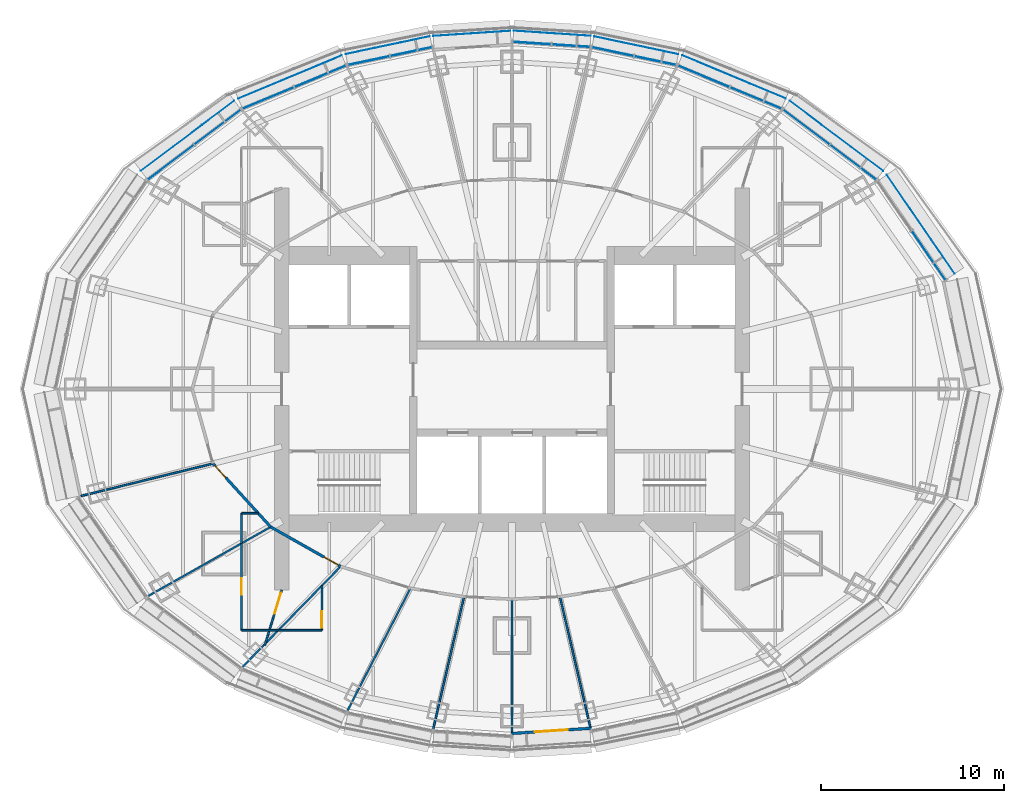
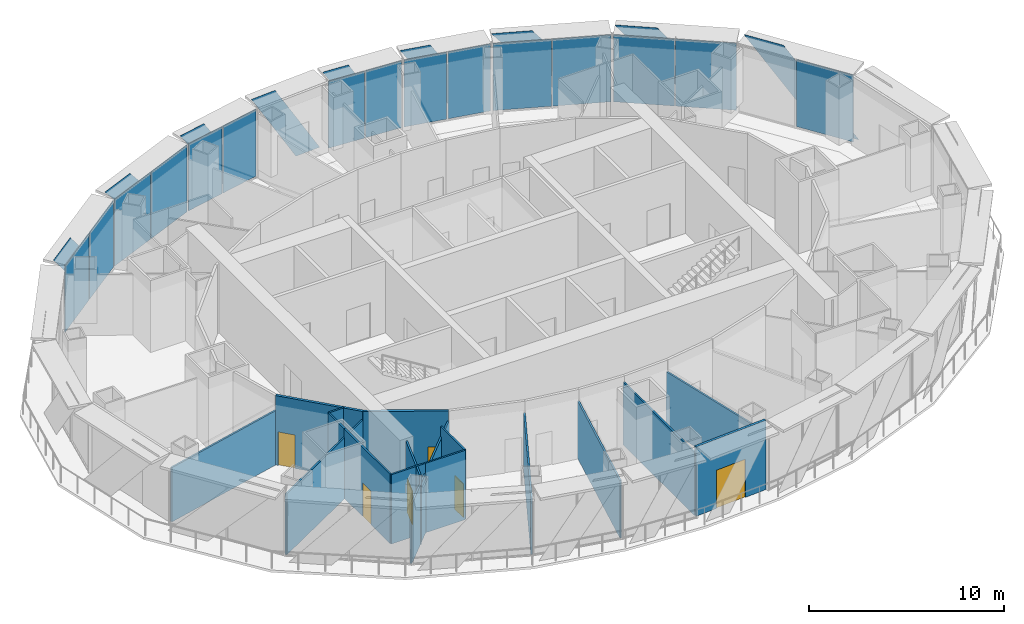
# One storey, part 9 of 17: 24 plates, 17 walls, 6 doors, 6 openings, 8 elements without a shape of their own.
"""IFC4 building model written with IfcOpenShell, lengths in metres."""

from ifc_helpers import new_model, si_unit, direction, frame, frame_2d, origin, origin_2d, place, context, subcontext, project, spatial, polyline, rectangle, outline, extrude, material, layer, layer_set, type_object, element, fill, aggregate, save


model = new_model("IFC4")

# Units and contexts
model_context = context("Model", 3, precision=1e-05, world=origin(), true_north=direction((0.0, 1.0)))
body_context = subcontext(model_context, "Body", "Model", "MODEL_VIEW")
ifc_project = project(units=[si_unit("LENGTHUNIT", "METRE"), si_unit("AREAUNIT", "SQUARE_METRE"), si_unit("VOLUMEUNIT", "CUBIC_METRE"), si_unit("PLANEANGLEUNIT", "RADIAN"), si_unit("MASSUNIT", "GRAM", prefix="KILO")], contexts=[model_context])

# Site, building, storey
site_placement = place(None, origin())
site = spatial("IfcSite", under=ifc_project, at=site_placement, CompositionType="ELEMENT")
building_placement = place(site_placement, origin())
building = spatial("IfcBuilding", under=site, at=building_placement, Name="Lantaw Convention Tower", CompositionType="ELEMENT")
storey_placement = place(building_placement, frame((0.0, 0.0, 270.39990234375)))
storey = spatial("IfcBuildingStorey", under=building, at=storey_placement, Name="L63", CompositionType="ELEMENT", Elevation=270.39990234375)

# Curtain wall, plate
ifc_material_1 = material(Name="Aluminium framed curtain wall", Category="aluminium")
curtain_wall_type = type_object("IfcCurtainWallType", Name="Executive floors curtain wall, pale aluminium", PredefinedType="USERDEFINED", material=ifc_material_1)
curtain_wall_1_placement = place(storey_placement, origin())
curtain_wall_1 = element("IfcCurtainWall", 1, at=curtain_wall_1_placement, inside=storey, type_object=curtain_wall_type, Name="Executive floors curtain wall, pale aluminium L63", ObjectType="UNITISED CURTAIN WALL", PredefinedType="USERDEFINED")
ifc_material_2 = material(Name="Clear insulating glass", Category="glass")
ifc_layer_1 = layer(ifc_material_2, 0.030029296875)
ifc_layer_set_1 = layer_set([ifc_layer_1], Name="CW-T panel 30")
plate_type_1 = type_object("IfcPlateType", Name="CW-T panel 30", PredefinedType="CURTAIN_PANEL", material=ifc_layer_set_1)
plate_1_placement = place(storey_placement, frame((22.80126953125, 7.31103515625, 0.070068359375), z_axis=(0.0, 0.0, 1.0), x_axis=(-0.565934832921, 0.824449977189, 0.0)))
plate_1 = element("IfcPlate", 2, at=plate_1_placement, type_object=plate_type_1, Name="CW-T panel 1.1", PredefinedType="CURTAIN_PANEL", context=body_context, shape_type="SweptSolid", body=[
    extrude(rectangle(XDim=3.22802734375, YDim=0.030029296875, at=origin_2d()), origin(), (0.0, 0.0, 1.0), 4.2099609375),
])
aggregate(curtain_wall_1, [plate_1])

# Curtain wall, plates
curtain_wall_2_placement = place(storey_placement, origin())
curtain_wall_2 = element("IfcCurtainWall", 3, at=curtain_wall_2_placement, inside=storey, type_object=curtain_wall_type, Name="Executive floors curtain wall, pale aluminium L63", ObjectType="UNITISED CURTAIN WALL", PredefinedType="USERDEFINED")
plate_2_placement = place(storey_placement, frame((18.67041015625, 12.403564453125, 0.070068359375), z_axis=(0.0, 0.0, 1.0), x_axis=(-0.799517528732, 0.600642756762, 0.0)))
plate_2 = element("IfcPlate", 4, at=plate_2_placement, type_object=plate_type_1, Name="CW-T panel 1.1", PredefinedType="CURTAIN_PANEL", context=body_context, shape_type="SweptSolid", body=[
    extrude(rectangle(XDim=3.140869140625, YDim=0.030029296875, at=origin_2d()), origin(), (0.0, 0.0, 1.0), 4.2099609375),
])
plate_3_placement = place(storey_placement, frame((16.103271484375, 14.33203125, 0.070068359375), z_axis=(0.0, 0.0, 1.0), x_axis=(-0.799517528732, 0.600642756762, 0.0)))
plate_3 = element("IfcPlate", 5, at=plate_3_placement, type_object=plate_type_1, Name="CW-T panel 2.1", PredefinedType="CURTAIN_PANEL", context=body_context, shape_type="SweptSolid", body=[
    extrude(rectangle(XDim=3.140869140625, YDim=0.030029296875, at=origin_2d()), origin(), (0.0, 0.0, 1.0), 4.2099609375),
])
aggregate(curtain_wall_2, [plate_2, plate_3])

curtain_wall_3_placement = place(storey_placement, origin())
curtain_wall_3 = element("IfcCurtainWall", 6, at=curtain_wall_3_placement, inside=storey, type_object=curtain_wall_type, Name="Executive floors curtain wall, pale aluminium L63", ObjectType="UNITISED CURTAIN WALL", PredefinedType="USERDEFINED")
plate_4_placement = place(storey_placement, frame((13.334716796875, 15.92431640625, 0.070068359375), z_axis=(0.0, 0.0, 1.0), x_axis=(-0.923141777124, 0.384459697924, 0.0)))
plate_4 = element("IfcPlate", 7, at=plate_4_placement, type_object=plate_type_1, Name="CW-T panel 1.1", PredefinedType="CURTAIN_PANEL", context=body_context, shape_type="SweptSolid", body=[
    extrude(rectangle(XDim=3.01708984375, YDim=0.030029296875, at=origin_2d()), origin(), (0.0, 0.0, 1.0), 4.2099609375),
])
plate_5_placement = place(storey_placement, frame((10.48486328125, 17.111083984375, 0.070068359375), z_axis=(0.0, 0.0, 1.0), x_axis=(-0.923141777124, 0.384459697924, 0.0)))
plate_5 = element("IfcPlate", 8, at=plate_5_placement, type_object=plate_type_1, Name="CW-T panel 2.1", PredefinedType="CURTAIN_PANEL", context=body_context, shape_type="SweptSolid", body=[
    extrude(rectangle(XDim=3.01708984375, YDim=0.030029296875, at=origin_2d()), origin(), (0.0, 0.0, 1.0), 4.2099609375),
])
aggregate(curtain_wall_3, [plate_4, plate_5])

curtain_wall_4_placement = place(storey_placement, origin())
curtain_wall_4 = element("IfcCurtainWall", 9, at=curtain_wall_4_placement, inside=storey, type_object=curtain_wall_type, Name="Executive floors curtain wall, pale aluminium L63", ObjectType="UNITISED CURTAIN WALL", PredefinedType="USERDEFINED")
plate_6_placement = place(storey_placement, frame((7.833740234375, 17.970703125, 0.070068359375), z_axis=(0.0, 0.0, 1.0), x_axis=(-0.978332497083, 0.207039911975, 0.0)))
plate_6 = element("IfcPlate", 10, at=plate_6_placement, type_object=plate_type_1, Name="CW-T panel 1.1", PredefinedType="CURTAIN_PANEL", context=body_context, shape_type="SweptSolid", body=[
    extrude(rectangle(XDim=2.30078125, YDim=0.030029296875, at=origin_2d()), origin(), (0.0, 0.0, 1.0), 4.2099609375),
])
plate_7_placement = place(storey_placement, frame((5.514404296875, 18.46142578125, 0.070068359375), z_axis=(0.0, 0.0, 1.0), x_axis=(-0.978332497083, 0.207039911975, 0.0)))
plate_7 = element("IfcPlate", 11, at=plate_7_placement, type_object=plate_type_1, Name="CW-T panel 2.1", PredefinedType="CURTAIN_PANEL", context=body_context, shape_type="SweptSolid", body=[
    extrude(rectangle(XDim=2.30078125, YDim=0.030029296875, at=origin_2d()), origin(), (0.0, 0.0, 1.0), 4.2099609375),
])
aggregate(curtain_wall_4, [plate_6, plate_7])

curtain_wall_5_placement = place(storey_placement, origin())
curtain_wall_5 = element("IfcCurtainWall", 12, at=curtain_wall_5_placement, inside=storey, type_object=curtain_wall_type, Name="Executive floors curtain wall, pale aluminium L63", ObjectType="UNITISED CURTAIN WALL", PredefinedType="USERDEFINED")
plate_8_placement = place(storey_placement, frame((3.222900390625, 18.78662109375, 0.070068359375), z_axis=(0.0, 0.0, 1.0), x_axis=(-0.997817975525, 0.066024902273, 0.0)))
plate_8 = element("IfcPlate", 13, at=plate_8_placement, type_object=plate_type_1, Name="CW-T panel 1.1", PredefinedType="CURTAIN_PANEL", context=body_context, shape_type="SweptSolid", body=[
    extrude(rectangle(XDim=2.06005859375, YDim=0.030029296875, at=origin_2d()), origin(), (0.0, 0.0, 1.0), 4.2099609375),
])
plate_9_placement = place(storey_placement, frame((1.09765625, 18.927490234375, 0.070068359375), z_axis=(0.0, 0.0, 1.0), x_axis=(-0.997817975525, 0.066024902273, 0.0)))
plate_9 = element("IfcPlate", 14, at=plate_9_placement, type_object=plate_type_1, Name="CW-T panel 2.1", PredefinedType="CURTAIN_PANEL", context=body_context, shape_type="SweptSolid", body=[
    extrude(rectangle(XDim=2.06005859375, YDim=0.030029296875, at=origin_2d()), origin(), (0.0, 0.0, 1.0), 4.2099609375),
])
aggregate(curtain_wall_5, [plate_8, plate_9])

curtain_wall_6_placement = place(storey_placement, origin())
curtain_wall_6 = element("IfcCurtainWall", 15, at=curtain_wall_6_placement, inside=storey, type_object=curtain_wall_type, Name="Executive floors curtain wall, pale aluminium L63", ObjectType="UNITISED CURTAIN WALL", PredefinedType="USERDEFINED")
plate_10_placement = place(storey_placement, frame((-5.514404296875, 18.46142578125, 0.070068359375), z_axis=(0.0, 0.0, 1.0), x_axis=(-0.978332497083, -0.207039911975, 0.0)))
plate_10 = element("IfcPlate", 16, at=plate_10_placement, type_object=plate_type_1, Name="CW-T panel 1.1", PredefinedType="CURTAIN_PANEL", context=body_context, shape_type="SweptSolid", body=[
    extrude(rectangle(XDim=2.30078125, YDim=0.030029296875, at=origin_2d()), origin(), (0.0, 0.0, 1.0), 4.2099609375),
])
plate_11_placement = place(storey_placement, frame((-7.833740234375, 17.970703125, 0.070068359375), z_axis=(0.0, 0.0, 1.0), x_axis=(-0.978332497083, -0.207039911975, 0.0)))
plate_11 = element("IfcPlate", 17, at=plate_11_placement, type_object=plate_type_1, Name="CW-T panel 2.1", PredefinedType="CURTAIN_PANEL", context=body_context, shape_type="SweptSolid", body=[
    extrude(rectangle(XDim=2.30078125, YDim=0.030029296875, at=origin_2d()), origin(), (0.0, 0.0, 1.0), 4.2099609375),
])
aggregate(curtain_wall_6, [plate_10, plate_11])

curtain_wall_7_placement = place(storey_placement, origin())
curtain_wall_7 = element("IfcCurtainWall", 18, at=curtain_wall_7_placement, inside=storey, type_object=curtain_wall_type, Name="Executive floors curtain wall, pale aluminium L63", ObjectType="UNITISED CURTAIN WALL", PredefinedType="USERDEFINED")
plate_12_placement = place(storey_placement, frame((-10.48486328125, 17.111083984375, 0.070068359375), z_axis=(0.0, 0.0, 1.0), x_axis=(-0.923141777124, -0.384459697924, 0.0)))
plate_12 = element("IfcPlate", 19, at=plate_12_placement, type_object=plate_type_1, Name="CW-T panel 1.1", PredefinedType="CURTAIN_PANEL", context=body_context, shape_type="SweptSolid", body=[
    extrude(rectangle(XDim=3.01708984375, YDim=0.030029296875, at=origin_2d()), origin(), (0.0, 0.0, 1.0), 4.2099609375),
])
plate_13_placement = place(storey_placement, frame((-13.334716796875, 15.92431640625, 0.070068359375), z_axis=(0.0, 0.0, 1.0), x_axis=(-0.923141777124, -0.384459697924, 0.0)))
plate_13 = element("IfcPlate", 20, at=plate_13_placement, type_object=plate_type_1, Name="CW-T panel 2.1", PredefinedType="CURTAIN_PANEL", context=body_context, shape_type="SweptSolid", body=[
    extrude(rectangle(XDim=3.01708984375, YDim=0.030029296875, at=origin_2d()), origin(), (0.0, 0.0, 1.0), 4.2099609375),
])
aggregate(curtain_wall_7, [plate_12, plate_13])

curtain_wall_8_placement = place(storey_placement, origin())
curtain_wall_8 = element("IfcCurtainWall", 21, at=curtain_wall_8_placement, inside=storey, type_object=curtain_wall_type, Name="Executive floors curtain wall, pale aluminium L63", ObjectType="UNITISED CURTAIN WALL", PredefinedType="USERDEFINED")
plate_14_placement = place(storey_placement, frame((-16.103271484375, 14.33203125, 0.070068359375), z_axis=(0.0, 0.0, 1.0), x_axis=(-0.799517528732, -0.600642756762, 0.0)))
plate_14 = element("IfcPlate", 22, at=plate_14_placement, type_object=plate_type_1, Name="CW-T panel 1.1", PredefinedType="CURTAIN_PANEL", context=body_context, shape_type="SweptSolid", body=[
    extrude(rectangle(XDim=3.140869140625, YDim=0.030029296875, at=origin_2d()), origin(), (0.0, 0.0, 1.0), 4.2099609375),
])
plate_15_placement = place(storey_placement, frame((-18.67041015625, 12.403564453125, 0.070068359375), z_axis=(0.0, 0.0, 1.0), x_axis=(-0.799517528732, -0.600642756762, 0.0)))
plate_15 = element("IfcPlate", 23, at=plate_15_placement, type_object=plate_type_1, Name="CW-T panel 2.1", PredefinedType="CURTAIN_PANEL", context=body_context, shape_type="SweptSolid", body=[
    extrude(rectangle(XDim=3.140869140625, YDim=0.030029296875, at=origin_2d()), origin(), (0.0, 0.0, 1.0), 4.2099609375),
])
aggregate(curtain_wall_8, [plate_14, plate_15])

# Plates
ifc_material_3 = material(Name="Perforated aluminium sheet, pale silver finish", Category="aluminium")
ifc_layer_2 = layer(ifc_material_3, 0.006103515625)
ifc_layer_set_2 = layer_set([ifc_layer_2], Name="Perforated aluminium solar SCREEN panel")
plate_type_2 = type_object("IfcPlateType", Name="Perforated aluminium solar SCREEN panel", PredefinedType="SHEET", material=ifc_layer_set_2)
plate_16_placement = place(storey_placement, frame((24.2255859375, 6.306884765625, -0.1748046875), z_axis=(-0.824440912544, -0.5659480379, 1.1008019e-05), x_axis=(-0.565948037934, 0.824440912594, 4.89e-10)))
element("IfcPlate", 24, at=plate_16_placement, inside=storey, type_object=plate_type_2, Name="Solar SCREEN panel", PredefinedType="SHEET", context=body_context, shape_type="SweptSolid", body=[
    extrude(outline(polyline([(0.0, 0.0), (2.2662039422237275, 0.0), (6.5657307277045955, -4.639892575196436), (4.29938861457317, -4.639892577412192), (0.0, 0.0)])), origin(), (0.0, 0.0, -1.0), 0.006103515625),
])
plate_17_placement = place(storey_placement, frame((20.305908203125, 11.932861328125, -0.1748046875), z_axis=(0.600672301748, 0.799495331375, 3.198432e-05), x_axis=(-0.799495331784, 0.600672302055, 1.414e-09)))
element("IfcPlate", 25, at=plate_17_placement, inside=storey, type_object=plate_type_2, Name="Solar SCREEN panel", PredefinedType="SHEET", context=body_context, shape_type="SweptSolid", body=[
    extrude(outline(polyline([(0.0, 0.0), (2.2071296040750283, 0.0), (6.391554874574737, 4.6398925714588515), (4.184278621988465, 4.639892577702056), (0.0, 0.0)])), origin(), (0.0, 0.0, -1.0), 0.006103515625),
])
plate_18_placement = place(storey_placement, frame((14.978759765625, 15.89599609375, -0.1748046875), z_axis=(-0.38443981788, -0.923150056246, 8.994749e-06), x_axis=(-0.923150056284, 0.384439817896, -1.99e-10)))
element("IfcPlate", 26, at=plate_18_placement, inside=storey, type_object=plate_type_2, Name="Solar SCREEN panel", PredefinedType="SHEET", context=body_context, shape_type="SweptSolid", body=[
    extrude(outline(polyline([(0.0, 0.0), (2.123103262468179, 0.0), (6.1440618510600045, -4.639892579534249), (4.021183967023536, -4.63989257869007), (0.0, 0.0)])), origin(), (0.0, 0.0, -1.0), 0.006103515625),
])
plate_19_placement = place(storey_placement, frame((9.104248046875, 18.321044921875, -0.1748046875), z_axis=(0.207067097355, 0.978326743573, 1.743264e-06), x_axis=(-0.978326743574, 0.207067097355, -1.54e-10)))
element("IfcPlate", 27, at=plate_19_placement, inside=storey, type_object=plate_type_2, Name="Solar SCREEN panel", PredefinedType="SHEET", context=body_context, shape_type="SweptSolid", body=[
    extrude(outline(polyline([(0.0, 0.0), (1.6358254236472698, 0.0), (4.711486581246437, 4.639892578858586), (3.075472861787101, 4.6398925783540514), (0.0, 0.0)])), origin(), (0.0, 0.0, -1.0), 0.006103515625),
])
plate_20_placement = place(storey_placement, frame((4.310546875, 19.322021484375, -0.1748046875), z_axis=(-0.066001689438, -0.997819510926, 2.4641594e-05), x_axis=(-0.997819511229, 0.066001689458, 0.0)))
element("IfcPlate", 28, at=plate_20_placement, inside=storey, type_object=plate_type_2, Name="Solar SCREEN panel", PredefinedType="SHEET", context=body_context, shape_type="SweptSolid", body=[
    extrude(outline(polyline([(0.0, 0.0), (1.4722042654949696, 0.0), (4.229933994839303, -4.639892579533692), (2.7577297293443337, -4.639892579533692), (0.0, 0.0)])), origin(), (0.0, 0.0, -1.0), 0.006103515625),
])
plate_21_placement = place(storey_placement, frame((-0.08984375, 19.601318359375, -0.1748046875), z_axis=(-0.066001689438, 0.997819510926, 2.4641594e-05), x_axis=(-0.997819511229, -0.066001689458, 0.0)))
element("IfcPlate", 29, at=plate_21_placement, inside=storey, type_object=plate_type_2, Name="Solar SCREEN panel", PredefinedType="SHEET", context=body_context, shape_type="SweptSolid", body=[
    extrude(outline(polyline([(0.0, 0.0), (1.4722042654949696, 0.0), (4.229933994839303, 4.639892579533692), (2.7577297293443337, 4.639892579533692), (0.0, 0.0)])), origin(), (0.0, 0.0, -1.0), 0.006103515625),
])
plate_22_placement = place(storey_placement, frame((-4.494873046875, 19.296630859375, -0.1748046875), z_axis=(0.207067097355, -0.978326743573, 1.743264e-06), x_axis=(-0.978326743574, -0.207067097355, 1.54e-10)))
element("IfcPlate", 30, at=plate_22_placement, inside=storey, type_object=plate_type_2, Name="Solar SCREEN panel", PredefinedType="SHEET", context=body_context, shape_type="SweptSolid", body=[
    extrude(outline(polyline([(0.0, 0.0), (1.6360137194593352, 0.0), (4.711486582677345, -4.639892577405598), (3.0756611590300755, -4.639892577910074), (0.0, 0.0)])), origin(), (0.0, 0.0, -1.0), 0.006103515625),
])
plate_23_placement = place(storey_placement, frame((-9.306884765625, 18.258056640625, -0.1748046875), z_axis=(-0.38443981788, 0.923150056246, 8.994749e-06), x_axis=(-0.923150056284, -0.384439817896, 1.99e-10)))
element("IfcPlate", 31, at=plate_23_placement, inside=storey, type_object=plate_type_2, Name="Solar SCREEN panel", PredefinedType="SHEET", context=body_context, shape_type="SweptSolid", body=[
    extrude(outline(polyline([(0.0, 0.0), (2.1228778840364693, 8.470329472543003e-22), (6.144061852905094, 4.639892577091015), (4.020958590436915, 4.639892577935282), (0.0, 0.0)])), origin(), (0.0, 0.0, -1.0), 0.006103515625),
])
plate_24_placement = place(storey_placement, frame((-15.19580078125, 15.77197265625, -0.1748046875), z_axis=(0.600672301748, -0.799495331375, 3.198432e-05), x_axis=(-0.799495331784, -0.600672302055, -1.414e-09)))
element("IfcPlate", 32, at=plate_24_placement, inside=storey, type_object=plate_type_2, Name="Solar SCREEN panel", PredefinedType="SHEET", context=body_context, shape_type="SweptSolid", body=[
    extrude(outline(polyline([(0.0, 0.0), (2.207276252586272, 0.0), (6.391554861450962, -4.639892589537142), (4.184425257375934, -4.639892583294353), (0.0, 0.0)])), origin(), (0.0, 0.0, -1.0), 0.006103515625),
])

# Wall, opening, door
ifc_material_4 = material(Name="Gypsum board on steel studs, fire rated", Category="steel")
ifc_layer_3 = layer(ifc_material_4, 0.10009765625)
ifc_layer_set_3 = layer_set([ifc_layer_3], Name="Corridor screen wall 100 EI 30")
wall_type_1 = type_object("IfcWallType", Name="Corridor screen wall 100 EI 30", PredefinedType="PARTITIONING", material=ifc_layer_set_3)
wall_1_placement = place(storey_placement, frame((-12.60009765625, -11.0, 0.0), z_axis=(0.0, 0.0, 1.0), x_axis=(-0.293039542174, -0.95610032252, 0.0)))
wall_1 = element("IfcWall", 33, at=wall_1_placement, inside=storey, type_object=wall_type_1, Name="Corridor screen wall 100", PredefinedType="PARTITIONING", context=body_context, shape_type="SweptSolid", body=[
    extrude(rectangle(XDim=3.1650390625, YDim=0.10009765625, at=frame_2d((1.58251953125, 0.0))), origin(), (0.0, 0.0, 1.0), 4.35009765625),
])
opening_1_placement = place(wall_1_placement, frame((0.14990234375, 0.0, 0.0)))
opening_1 = element("IfcOpeningElement", 34, at=opening_1_placement, cuts=wall_1, Name="Opening L63.51", PredefinedType="OPENING", context=body_context, shape_type="SweptSolid", body=[
    extrude(rectangle(XDim=1.199951171875, YDim=2.10009765625, at=frame_2d((0.60009765625, 1.050048828125))), frame((0.0, 0.06005859375, 0.0), z_axis=(0.0, -1.0, 0.0), x_axis=(1.0, 0.0, 0.0)), (0.0, 0.0, 1.0), 0.1201171875),
])
ifc_material_5 = material(Name="Steel, fire rated", Category="steel")
door_type_1 = type_object("IfcDoorType", Name="Cross-corridor door 1200 FD30", OperationType="DOUBLE_DOOR_DOUBLE_SWING", PredefinedType="DOOR", material=ifc_material_5)
door_1_placement = place(opening_1_placement, origin())
door_1 = element("IfcDoor", 35, at=door_1_placement, inside=storey, type_object=door_type_1, Name="Cross-corridor door", OperationType="DOUBLE_DOOR_DOUBLE_SWING", OverallHeight=2.10009765625, OverallWidth=1.199951171875, PredefinedType="DOOR", context=body_context, shape_type="SweptSolid", body=[
    extrude(rectangle(XDim=1.199951171875, YDim=2.10009765625, at=frame_2d((0.60009765625, 1.050048828125))), frame((0.0, 0.02490234375, 0.0), z_axis=(0.0, -1.0, 0.0), x_axis=(1.0, 0.0, 0.0)), (0.0, 0.0, 1.0), 0.050048828125),
])
fill(opening_1, door_1)

ifc_layer_4 = layer(ifc_material_4, 0.14990234375)
ifc_layer_set_4 = layer_set([ifc_layer_4], Name="Corridor wall 150 EI 60")
wall_type_2 = type_object("IfcWallType", Name="Corridor wall 150 EI 60", PredefinedType="PARTITIONING", material=ifc_layer_set_4)
wall_2_placement = place(storey_placement, frame((-16.36181640625, -4.07958984375, 0.0), z_axis=(0.0, 0.0, 1.0), x_axis=(0.67323765707, -0.739426167445, 0.0)))
wall_2 = element("IfcWall", 36, at=wall_2_placement, inside=storey, type_object=wall_type_2, Name="Corridor wall 150", PredefinedType="PARTITIONING", context=body_context, shape_type="SweptSolid", body=[
    extrude(rectangle(XDim=4.688232421875, YDim=0.14990234375, at=frame_2d((2.34423828125, 0.0))), origin(), (0.0, 0.0, 1.0), 4.35009765625),
])
opening_2_placement = place(wall_2_placement, frame((0.14990234375, 0.0, 0.0)))
opening_2 = element("IfcOpeningElement", 37, at=opening_2_placement, cuts=wall_2, Name="Opening L63.29", PredefinedType="OPENING", context=body_context, shape_type="SweptSolid", body=[
    extrude(rectangle(XDim=0.89990234375, YDim=2.10009765625, at=frame_2d((0.449951171875, 1.050048828125))), frame((0.0, 0.0849609375, 0.0), z_axis=(0.0, -1.0, 0.0), x_axis=(1.0, 0.0, 0.0)), (0.0, 0.0, 1.0), 0.169921875),
])
door_type_2 = type_object("IfcDoorType", Name="Office door 900 FD30", OperationType="SINGLE_SWING_LEFT", PredefinedType="DOOR", material=ifc_material_5)
door_2_placement = place(opening_2_placement, origin())
door_2 = element("IfcDoor", 38, at=door_2_placement, inside=storey, type_object=door_type_2, Name="Executive office door", OperationType="SINGLE_SWING_LEFT", OverallHeight=2.10009765625, OverallWidth=0.89990234375, PredefinedType="DOOR", context=body_context, shape_type="SweptSolid", body=[
    extrude(rectangle(XDim=0.89990234375, YDim=2.10009765625, at=frame_2d((0.449951171875, 1.050048828125))), frame((0.0, 0.02490234375, 0.0), z_axis=(0.0, -1.0, 0.0), x_axis=(1.0, 0.0, 0.0)), (0.0, 0.0, 1.0), 0.050048828125),
])
fill(opening_2, door_2)

wall_3_placement = place(storey_placement, frame((-13.20556640625, -7.546142578125, 0.0), z_axis=(0.0, 0.0, 1.0), x_axis=(0.870593853694, -0.492002379984, 0.0)))
wall_3 = element("IfcWall", 39, at=wall_3_placement, inside=storey, type_object=wall_type_2, Name="Corridor wall 150", PredefinedType="PARTITIONING", context=body_context, shape_type="SweptSolid", body=[
    extrude(rectangle(XDim=4.39794921875, YDim=0.14990234375, at=frame_2d((2.198974609375, 0.0))), origin(), (0.0, 0.0, 1.0), 4.35009765625),
])
opening_3_placement = place(wall_3_placement, frame((3.347900390625, 0.0, 0.0)))
opening_3 = element("IfcOpeningElement", 40, at=opening_3_placement, cuts=wall_3, Name="Opening L63.30", PredefinedType="OPENING", context=body_context, shape_type="SweptSolid", body=[
    extrude(rectangle(XDim=0.89990234375, YDim=2.10009765625, at=frame_2d((0.449951171875, 1.050048828125))), frame((0.0, 0.0849609375, 0.0), z_axis=(0.0, -1.0, 0.0), x_axis=(1.0, 0.0, 0.0)), (0.0, 0.0, 1.0), 0.169921875),
])
door_3_placement = place(opening_3_placement, origin())
door_3 = element("IfcDoor", 41, at=door_3_placement, inside=storey, type_object=door_type_2, Name="Executive office door", OperationType="SINGLE_SWING_LEFT", OverallHeight=2.10009765625, OverallWidth=0.89990234375, PredefinedType="DOOR", context=body_context, shape_type="SweptSolid", body=[
    extrude(rectangle(XDim=0.89990234375, YDim=2.10009765625, at=frame_2d((0.449951171875, 1.050048828125))), frame((0.0, 0.02490234375, 0.0), z_axis=(0.0, -1.0, 0.0), x_axis=(1.0, 0.0, 0.0)), (0.0, 0.0, 1.0), 0.050048828125),
])
fill(opening_3, door_3)

ifc_material_6 = material(Name="Aluminium framed glazing", Category="aluminium")
ifc_layer_5 = layer(ifc_material_6, 0.14990234375)
ifc_layer_set_5 = layer_set([ifc_layer_5], Name="Glazed entrance screen 150")
wall_type_3 = type_object("IfcWallType", Name="Glazed entrance screen 150", PredefinedType="ELEMENTEDWALL", material=ifc_layer_set_5)
wall_4_placement = place(storey_placement, frame((-0.010009765625, -18.850341796875, 0.0), z_axis=(0.0, 0.0, 1.0), x_axis=(0.997817967506, 0.066025023447, 0.0)))
wall_4 = element("IfcWall", 42, at=wall_4_placement, inside=storey, type_object=wall_type_3, Name="Glazed entrance screen", PredefinedType="ELEMENTEDWALL", context=body_context, shape_type="SweptSolid", body=[
    extrude(rectangle(XDim=4.330078125, YDim=0.14990234375, at=frame_2d((2.1650390625, 0.0))), origin(), (0.0, 0.0, 1.0), 4.35009765625),
])
opening_4_placement = place(wall_4_placement, frame((1.264892578125, 0.0, 0.0)))
opening_4 = element("IfcOpeningElement", 43, at=opening_4_placement, cuts=wall_4, Name="Opening L63.E18", PredefinedType="OPENING", context=body_context, shape_type="SweptSolid", body=[
    extrude(rectangle(XDim=1.800048828125, YDim=2.39990234375, at=frame_2d((0.89990234375, 1.199951171875))), frame((0.0, 0.0849609375, 0.0), z_axis=(0.0, -1.0, 0.0), x_axis=(1.0, 0.0, 0.0)), (0.0, 0.0, 1.0), 0.169921875),
])
ifc_material_7 = material(Name="Aluminium and glass", Category="aluminium")
door_type_3 = type_object("IfcDoorType", Name="Terrace door 1800", OperationType="DOUBLE_DOOR_DOUBLE_SWING", PredefinedType="DOOR", material=ifc_material_7)
door_4_placement = place(opening_4_placement, origin())
door_4 = element("IfcDoor", 44, at=door_4_placement, inside=storey, type_object=door_type_3, Name="Terrace door", OperationType="DOUBLE_DOOR_DOUBLE_SWING", OverallHeight=2.39990234375, OverallWidth=1.800048828125, PredefinedType="DOOR", context=body_context, shape_type="SweptSolid", body=[
    extrude(rectangle(XDim=1.800048828125, YDim=2.39990234375, at=frame_2d((0.89990234375, 1.199951171875))), frame((0.0, 0.02490234375, 0.0), z_axis=(0.0, -1.0, 0.0), x_axis=(1.0, 0.0, 0.0)), (0.0, 0.0, 1.0), 0.050048828125),
])
fill(opening_4, door_4)

# Walls
ifc_material_8 = material(Name="Gypsum board on steel studs, acoustic", Category="steel")
ifc_layer_6 = layer(ifc_material_8, 0.10009765625)
ifc_layer_set_6 = layer_set([ifc_layer_6], Name="Office partition 100")
wall_type_4 = type_object("IfcWallType", Name="Office partition 100", PredefinedType="PARTITIONING", material=ifc_layer_set_6)
wall_5_placement = place(storey_placement, frame((-23.59033203125, -5.852294921875, 0.0), z_axis=(0.0, 0.0, 1.0), x_axis=(0.971221010054, 0.238180078155, 0.0)))
element("IfcWall", 45, at=wall_5_placement, inside=storey, type_object=wall_type_4, Name="Office partition 100", PredefinedType="PARTITIONING", context=body_context, shape_type="SweptSolid", body=[
    extrude(rectangle(XDim=7.442626953125, YDim=0.10009765625, at=frame_2d((3.72119140625, 0.0))), origin(), (0.0, 0.0, 1.0), 3.40771484375),
])
wall_6_placement = place(storey_placement, frame((-19.958984375, -11.354736328125, 0.0), z_axis=(0.0, 0.0, 1.0), x_axis=(0.871035125561, 0.491220734537, 0.0)))
element("IfcWall", 46, at=wall_6_placement, inside=storey, type_object=wall_type_4, Name="Office partition 100", PredefinedType="PARTITIONING", context=body_context, shape_type="SweptSolid", body=[
    extrude(rectangle(XDim=7.75341796875, YDim=0.10009765625, at=frame_2d((3.876708984375, 0.0))), origin(), (0.0, 0.0, 1.0), 3.82421875),
])
wall_7_placement = place(storey_placement, frame((-14.7890625, -15.2509765625, 0.0), z_axis=(0.0, 0.0, 1.0), x_axis=(0.698752653188, 0.71536335499, 0.0)))
element("IfcWall", 47, at=wall_7_placement, inside=storey, type_object=wall_type_4, Name="Office partition 100", PredefinedType="PARTITIONING", context=body_context, shape_type="SweptSolid", body=[
    extrude(rectangle(XDim=7.745849609375, YDim=0.10009765625, at=frame_2d((3.873046875, 0.0))), origin(), (0.0, 0.0, 1.0), 3.72265625),
])
wall_8_placement = place(storey_placement, frame((-9.03076171875, -17.6572265625, 0.0), z_axis=(0.0, 0.0, 1.0), x_axis=(0.457536153323, 0.889191019074, 0.0)))
element("IfcWall", 48, at=wall_8_placement, inside=storey, type_object=wall_type_4, Name="Office partition 100", PredefinedType="PARTITIONING", context=body_context, shape_type="SweptSolid", body=[
    extrude(rectangle(XDim=7.59375, YDim=0.10009765625, at=frame_2d((3.796875, 0.0))), origin(), (0.0, 0.0, 1.0), 3.59326171875),
])
wall_9_placement = place(storey_placement, frame((-4.32373046875, -18.6572265625, 0.0), z_axis=(0.0, 0.0, 1.0), x_axis=(0.227020232271, 0.973890042119, 0.0)))
element("IfcWall", 49, at=wall_9_placement, inside=storey, type_object=wall_type_4, Name="Office partition 100", PredefinedType="PARTITIONING", context=body_context, shape_type="SweptSolid", body=[
    extrude(rectangle(XDim=7.482666015625, YDim=0.10009765625, at=frame_2d((3.7412109375, 0.0))), origin(), (0.0, 0.0, 1.0), 3.59326171875),
])
wall_10_placement = place(storey_placement, frame((0.0, -18.82470703125, 0.0), z_axis=(0.0, 0.0, 1.0), x_axis=(0.0, 1.0, 0.0)))
element("IfcWall", 50, at=wall_10_placement, inside=storey, type_object=wall_type_4, Name="Office partition 100", PredefinedType="PARTITIONING", context=body_context, shape_type="SweptSolid", body=[
    extrude(rectangle(XDim=7.32470703125, YDim=0.10009765625, at=frame_2d((3.662353515625, 0.0))), origin(), (0.0, 0.0, 1.0), 3.943603515625),
])
wall_11_placement = place(storey_placement, frame((4.29638671875, -18.540283203125, 0.0), z_axis=(0.0, 0.0, 1.0), x_axis=(-0.227009478686, 0.973892548789, 0.0)))
element("IfcWall", 51, at=wall_11_placement, inside=storey, type_object=wall_type_4, Name="Office partition 100", PredefinedType="PARTITIONING", context=body_context, shape_type="SweptSolid", body=[
    extrude(rectangle(XDim=7.362548828125, YDim=0.10009765625, at=frame_2d((3.68115234375, 0.0))), origin(), (0.0, 0.0, 1.0), 3.59326171875),
])
wall_12_placement = place(storey_placement, frame((-13.884765625, -6.800048828125, 0.0), z_axis=(0.0, 0.0, 1.0), x_axis=(-1.0, 0.0, 0.0)))
element("IfcWall", 52, at=wall_12_placement, inside=storey, type_object=wall_type_4, Name="Office partition 100", PredefinedType="PARTITIONING", context=body_context, shape_type="SweptSolid", body=[
    extrude(rectangle(XDim=0.915283203125, YDim=0.10009765625, at=frame_2d((0.45751953125, 0.0))), origin(), (0.0, 0.0, 1.0), 4.35009765625),
])
wall_13_placement = place(storey_placement, frame((-14.800048828125, -6.800048828125, 0.0), z_axis=(0.0, 0.0, 1.0), x_axis=(0.0, -1.0, 0.0)))
element("IfcWall", 53, at=wall_13_placement, inside=storey, type_object=wall_type_4, Name="Office partition 100", PredefinedType="PARTITIONING", context=body_context, shape_type="SweptSolid", body=[
    extrude(rectangle(XDim=1.645263671875, YDim=0.10009765625, at=frame_2d((0.82275390625, 0.0))), origin(), (0.0, 0.0, 1.0), 4.35009765625),
])

# Wall, opening, door
wall_14_placement = place(storey_placement, frame((-14.800048828125, -8.4453125, 0.0), z_axis=(0.0, 0.0, 1.0), x_axis=(0.0, -1.0, 0.0)))
wall_14 = element("IfcWall", 54, at=wall_14_placement, inside=storey, type_object=wall_type_4, Name="Office partition 100", PredefinedType="PARTITIONING", context=body_context, shape_type="SweptSolid", body=[
    extrude(rectangle(XDim=4.754638671875, YDim=0.10009765625, at=frame_2d((2.37744140625, 0.0))), origin(), (0.0, 0.0, 1.0), 4.35009765625),
])
opening_5_placement = place(wall_14_placement, frame((1.89990234375, 0.0, 0.0)))
opening_5 = element("IfcOpeningElement", 55, at=opening_5_placement, cuts=wall_14, Name="Opening L63.44", PredefinedType="OPENING", context=body_context, shape_type="SweptSolid", body=[
    extrude(rectangle(XDim=0.89990234375, YDim=2.10009765625, at=frame_2d((0.449951171875, 1.050048828125))), frame((0.0, 0.06005859375, 0.0), z_axis=(0.0, -1.0, 0.0), x_axis=(1.0, 0.0, 0.0)), (0.0, 0.0, 1.0), 0.1201171875),
])
ifc_material_9 = material(Name="Timber", Category="wood")
door_type_4 = type_object("IfcDoorType", Name="Office door 900", OperationType="SINGLE_SWING_LEFT", PredefinedType="DOOR", material=ifc_material_9)
door_5_placement = place(opening_5_placement, origin())
door_5 = element("IfcDoor", 56, at=door_5_placement, inside=storey, type_object=door_type_4, Name="Executive office door", OperationType="SINGLE_SWING_LEFT", OverallHeight=2.10009765625, OverallWidth=0.89990234375, PredefinedType="DOOR", context=body_context, shape_type="SweptSolid", body=[
    extrude(rectangle(XDim=0.89990234375, YDim=2.10009765625, at=frame_2d((0.449951171875, 1.050048828125))), frame((0.0, 0.02490234375, 0.0), z_axis=(0.0, -1.0, 0.0), x_axis=(1.0, 0.0, 0.0)), (0.0, 0.0, 1.0), 0.050048828125),
])
fill(opening_5, door_5)

# Walls
wall_15_placement = place(storey_placement, frame((-14.800048828125, -13.199951171875, 0.0), z_axis=(0.0, 0.0, 1.0), x_axis=(1.0, 0.0, 0.0)))
element("IfcWall", 57, at=wall_15_placement, inside=storey, type_object=wall_type_4, Name="Office partition 100", PredefinedType="PARTITIONING", context=body_context, shape_type="SweptSolid", body=[
    extrude(rectangle(XDim=2.014404296875, YDim=0.10009765625, at=frame_2d((1.00732421875, 0.0))), origin(), (0.0, 0.0, 1.0), 4.35009765625),
])
wall_16_placement = place(storey_placement, frame((-12.78564453125, -13.199951171875, 0.0), z_axis=(0.0, 0.0, 1.0), x_axis=(1.0, 0.0, 0.0)))
element("IfcWall", 58, at=wall_16_placement, inside=storey, type_object=wall_type_4, Name="Office partition 100", PredefinedType="PARTITIONING", context=body_context, shape_type="SweptSolid", body=[
    extrude(rectangle(XDim=2.3857421875, YDim=0.10009765625, at=frame_2d((1.19287109375, 0.0))), origin(), (0.0, 0.0, 1.0), 4.35009765625),
])

# Wall, opening, door
wall_17_placement = place(storey_placement, frame((-10.39990234375, -13.199951171875, 0.0), z_axis=(0.0, 0.0, 1.0), x_axis=(0.0, 1.0, 0.0)))
wall_17 = element("IfcWall", 59, at=wall_17_placement, inside=storey, type_object=wall_type_4, Name="Office partition 100", PredefinedType="PARTITIONING", context=body_context, shape_type="SweptSolid", body=[
    extrude(rectangle(XDim=2.4423828125, YDim=0.10009765625, at=frame_2d((1.22119140625, 0.0))), origin(), (0.0, 0.0, 1.0), 4.35009765625),
])
opening_6_placement = place(wall_17_placement, frame((0.14990234375, 0.0, 0.0)))
opening_6 = element("IfcOpeningElement", 60, at=opening_6_placement, cuts=wall_17, Name="Opening L63.45", PredefinedType="OPENING", context=body_context, shape_type="SweptSolid", body=[
    extrude(rectangle(XDim=0.89990234375, YDim=2.10009765625, at=frame_2d((0.449951171875, 1.050048828125))), frame((0.0, 0.06005859375, 0.0), z_axis=(0.0, -1.0, 0.0), x_axis=(1.0, 0.0, 0.0)), (0.0, 0.0, 1.0), 0.1201171875),
])
door_6_placement = place(opening_6_placement, origin())
door_6 = element("IfcDoor", 61, at=door_6_placement, inside=storey, type_object=door_type_4, Name="Executive office door", OperationType="SINGLE_SWING_LEFT", OverallHeight=2.10009765625, OverallWidth=0.89990234375, PredefinedType="DOOR", context=body_context, shape_type="SweptSolid", body=[
    extrude(rectangle(XDim=0.89990234375, YDim=2.10009765625, at=frame_2d((0.449951171875, 1.050048828125))), frame((0.0, 0.02490234375, 0.0), z_axis=(0.0, -1.0, 0.0), x_axis=(1.0, 0.0, 0.0)), (0.0, 0.0, 1.0), 0.050048828125),
])
fill(opening_6, door_6)

save(model, "model.ifc")
